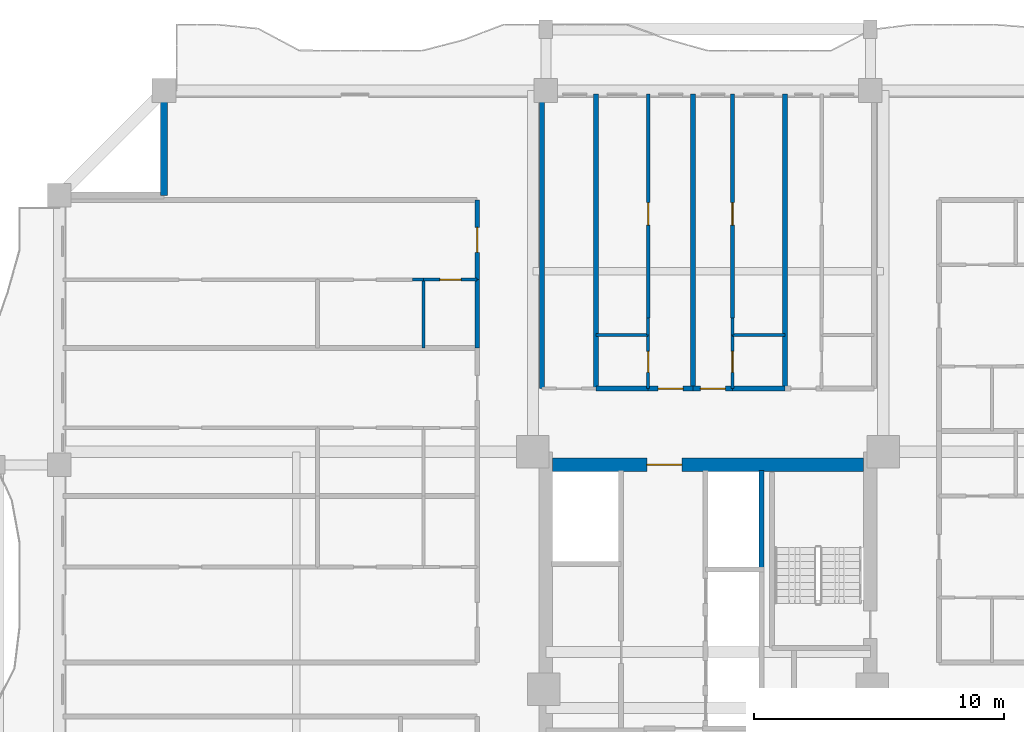
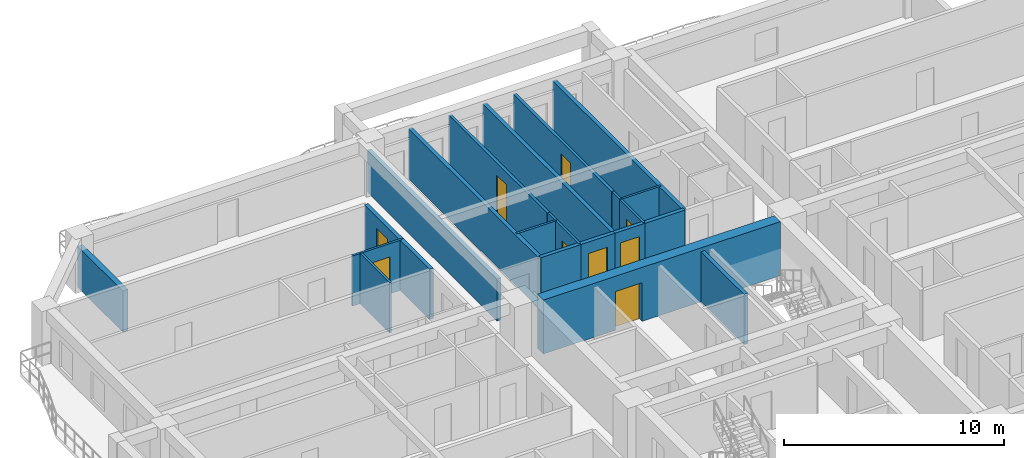
# One storey, part 7 of 14: 24 walls, 9 doors, 9 openings.
"""IFC4 building model written with IfcOpenShell, lengths in metres."""

from ifc_helpers import new_model, si_unit, direction, frame, frame_2d, origin, place, context, subcontext, project, spatial, rectangle, extrude, source, transform, mapped, material, layer, layer_set, type_object, element, fill, save


model = new_model("IFC4")

# Units and contexts
model_context = context("Model", 3, precision=1e-05, world=origin(), true_north=direction((0.0, 1.0)))
body_context = subcontext(model_context, "Body", "Model", "MODEL_VIEW")
ifc_project = project(units=[si_unit("LENGTHUNIT", "METRE"), si_unit("AREAUNIT", "SQUARE_METRE"), si_unit("VOLUMEUNIT", "CUBIC_METRE"), si_unit("PLANEANGLEUNIT", "RADIAN"), si_unit("MASSUNIT", "GRAM", prefix="KILO")], contexts=[model_context])

# Site, building, storey
site_placement = place(None, origin())
site = spatial("IfcSite", under=ifc_project, at=site_placement, CompositionType="ELEMENT")
building_placement = place(site_placement, origin())
building = spatial("IfcBuilding", under=site, at=building_placement, Name="Saelheon Loggia Tower", CompositionType="ELEMENT")
storey_placement = place(building_placement, frame((0.0, 0.0, 119.85009765625)))
storey = spatial("IfcBuildingStorey", under=building, at=storey_placement, Name="L38", CompositionType="ELEMENT", Elevation=119.85009765625)

# Wall, opening, door
ifc_material_1 = material(Name="Concrete C50/60", Category="concrete")
ifc_layer_1 = layer(ifc_material_1, 0.550048828125)
ifc_layer_set_1 = layer_set([ifc_layer_1], Name="Concrete C50/60")
wall_type_1 = type_object("IfcWallType", Name="Wall_CoreShear_550", PredefinedType="SHEAR", material=ifc_layer_set_1)
wall_1_placement = place(storey_placement, frame((31.77490234375, 36.0, 0.0), z_axis=(0.0, 0.0, 1.0), x_axis=(1.0, 0.0, 0.0)))
wall_1 = element("IfcWall", 1, at=wall_1_placement, inside=storey, type_object=wall_type_1, Name="L38 Core Shear Wall North", PredefinedType="SHEAR", context=body_context, shape_type="SweptSolid", body=[
    extrude(rectangle(XDim=12.4501953125, YDim=0.550048828125, at=frame_2d((6.22509765625, 0.0))), origin(), (0.0, 0.0, 1.0), 3.0),
])
opening_1_placement = place(wall_1_placement, frame((5.1748046875, 0.0, 0.0), z_axis=(0.0, 0.0, 1.0), x_axis=(-1.0, 0.0, 0.0)))
opening_1 = element("IfcOpeningElement", 2, at=opening_1_placement, cuts=wall_1, Name="Opening D-FD2L", PredefinedType="OPENING", context=body_context, shape_type="SweptSolid", body=[
    extrude(rectangle(XDim=1.39990234375, YDim=2.14990234375, at=frame_2d((0.699951171875, 1.074951171875))), frame((0.0, 0.287109375, 0.0), z_axis=(0.0, -1.0, 0.0), x_axis=(1.0, 0.0, 0.0)), (0.0, 0.0, 1.0), 0.573974609375),
])
ifc_material_2 = material(Name="Galvanised Steel Glazed Lobby Fire Door", Category="steel")
door_type_1 = type_object("IfcDoorType", Name="Door_Fire_FD60_1400", OperationType="NOTDEFINED", PredefinedType="DOOR", material=ifc_material_2)
shared_shape_1 = source(origin(), body_context, "Body", "SweptSolid", [
    extrude(rectangle(XDim=1.39990234375, YDim=2.14990234375, at=frame_2d((0.699951171875, 1.074951171875))), frame((0.0, 0.02490234375, 0.0), z_axis=(0.0, -1.0, 0.0), x_axis=(1.0, 0.0, 0.0)), (0.0, 0.0, 1.0), 0.050048828125),
])
door_1_placement = place(opening_1_placement, origin())
door_1 = element("IfcDoor", 3, at=door_1_placement, inside=storey, type_object=door_type_1, Name="L38 Passenger Lift Lobby Main Door", OperationType="SINGLE_SWING_RIGHT", OverallHeight=2.14990234375, OverallWidth=1.39990234375, PredefinedType="DOOR", context=body_context, shape_type="MappedRepresentation", body=[
    mapped(shared_shape_1, transform((0.0, 0.0, 0.0), scale=1.0)),
])
fill(opening_1, door_1)

# Wall
ifc_material_3 = material(Name="Architectural Precast Concrete C40/50", Category="concrete")
ifc_layer_2 = layer(ifc_material_3, 0.280029296875)
ifc_layer_set_2 = layer_set([ifc_layer_2], Name="Architectural Precast Concrete C40/50")
wall_type_2 = type_object("IfcWallType", Name="Wall_Ext_Loggia_280", PredefinedType="SOLIDWALL", material=ifc_layer_set_2)
wall_2_placement = place(storey_placement, frame((16.199951171875, 46.800048828125, 0.0), z_axis=(0.0, 0.0, 1.0), x_axis=(0.0, 1.0, 0.0)))
element("IfcWall", 4, at=wall_2_placement, inside=storey, type_object=wall_type_2, Name="L38 Corner Notch Precast Wall NW1", PredefinedType="SOLIDWALL", context=body_context, shape_type="SweptSolid", body=[
    extrude(rectangle(XDim=4.119873046875, YDim=0.280029296875, at=frame_2d((2.06005859375, 0.0))), origin(), (0.0, 0.0, 1.0), 2.27978515625),
])

# Wall, opening, door
ifc_material_4 = material(Name="Lightweight Autoclaved Aerated Concrete Block and Acoustic Gypsum", Category="concrete")
ifc_layer_3 = layer(ifc_material_4, 0.14990234375)
ifc_layer_set_3 = layer_set([ifc_layer_3], Name="Lightweight Autoclaved Aerated Concrete Block and Acoustic Gypsum")
wall_type_3 = type_object("IfcWallType", Name="Wall_Part_150", PredefinedType="PARTITIONING", material=ifc_layer_set_3)
wall_3_placement = place(storey_placement, frame((35.60009765625, 41.889892578125, 0.0), z_axis=(0.0, 0.0, 1.0), x_axis=(0.0, 1.0, 0.0)))
wall_3 = element("IfcWall", 5, at=wall_3_placement, inside=storey, type_object=wall_type_3, Name="L38 N Partition U10", PredefinedType="PARTITIONING", context=body_context, shape_type="SweptSolid", body=[
    extrude(rectangle(XDim=8.960205078125, YDim=0.14990234375, at=frame_2d((4.47998046875, 0.0))), origin(), (0.0, 0.0, 1.0), 2.789794921875),
])
opening_2_placement = place(wall_3_placement, frame((3.714111328125, 0.0, 0.0)))
opening_2 = element("IfcOpeningElement", 6, at=opening_2_placement, cuts=wall_3, Name="Opening D-IN2", PredefinedType="OPENING", context=body_context, shape_type="SweptSolid", body=[
    extrude(rectangle(XDim=0.89990234375, YDim=2.10009765625, at=frame_2d((0.449951171875, 1.050048828125))), frame((0.0, 0.0869140625, 0.0), z_axis=(0.0, -1.0, 0.0), x_axis=(1.0, 0.0, 0.0)), (0.0, 0.0, 1.0), 0.173828125),
])
ifc_material_5 = material(Name="Engineered Oak Flush Door", Category="timber")
door_type_2 = type_object("IfcDoorType", Name="Door_Int_900", OperationType="NOTDEFINED", PredefinedType="DOOR", material=ifc_material_5)
shared_shape_2 = source(origin(), body_context, "Body", "SweptSolid", [
    extrude(rectangle(XDim=0.89990234375, YDim=2.10009765625, at=frame_2d((0.449951171875, 1.050048828125))), frame((0.0, 0.02490234375, 0.0), z_axis=(0.0, -1.0, 0.0), x_axis=(1.0, 0.0, 0.0)), (0.0, 0.0, 1.0), 0.050048828125),
])
door_2_placement = place(opening_2_placement, origin())
door_2 = element("IfcDoor", 7, at=door_2_placement, inside=storey, type_object=door_type_2, Name="Unit U02 Kitchen Door", OperationType="SINGLE_SWING_RIGHT", OverallHeight=2.10009765625, OverallWidth=0.89990234375, PredefinedType="DOOR", context=body_context, shape_type="MappedRepresentation", body=[
    mapped(shared_shape_2, transform((0.0, 0.0, 0.0), scale=1.0)),
])
fill(opening_2, door_2)

wall_4_placement = place(storey_placement, frame((38.98193359375, 41.889892578125, 0.0), z_axis=(0.0, 0.0, 1.0), x_axis=(0.0, 1.0, 0.0)))
wall_4 = element("IfcWall", 8, at=wall_4_placement, inside=storey, type_object=wall_type_3, Name="L38 N Partition U17", PredefinedType="PARTITIONING", context=body_context, shape_type="SweptSolid", body=[
    extrude(rectangle(XDim=8.960205078125, YDim=0.14990234375, at=frame_2d((4.47998046875, 0.0))), origin(), (0.0, 0.0, 1.0), 2.789794921875),
])
opening_3_placement = place(wall_4_placement, frame((3.714111328125, 0.0, 0.0)))
opening_3 = element("IfcOpeningElement", 9, at=opening_3_placement, cuts=wall_4, Name="Opening D-IN2", PredefinedType="OPENING", context=body_context, shape_type="SweptSolid", body=[
    extrude(rectangle(XDim=0.89990234375, YDim=2.10009765625, at=frame_2d((0.449951171875, 1.050048828125))), frame((0.0, 0.0869140625, 0.0), z_axis=(0.0, -1.0, 0.0), x_axis=(1.0, 0.0, 0.0)), (0.0, 0.0, 1.0), 0.173828125),
])
door_3_placement = place(opening_3_placement, origin())
door_3 = element("IfcDoor", 10, at=door_3_placement, inside=storey, type_object=door_type_2, Name="Unit U03 Kitchen Door", OperationType="SINGLE_SWING_LEFT", OverallHeight=2.10009765625, OverallWidth=0.89990234375, PredefinedType="DOOR", context=body_context, shape_type="MappedRepresentation", body=[
    mapped(shared_shape_2, transform((0.0, 0.0, 0.0), scale=1.0)),
])
fill(opening_3, door_3)

# Walls
ifc_material_6 = material(Name="Double Acoustic Stud and Fireboard Partition", Category="gypsum")
ifc_layer_4 = layer(ifc_material_6, 0.199951171875)
ifc_layer_set_4 = layer_set([ifc_layer_4], Name="Double Acoustic Stud and Fireboard Partition")
wall_type_4 = type_object("IfcWallType", Name="Wall_Party_200", PredefinedType="PARTITIONING", material=ifc_layer_set_4)
wall_5_placement = place(storey_placement, frame((31.35009765625, 39.050048828125, 0.0), z_axis=(0.0, 0.0, 1.0), x_axis=(0.0, 1.0, 0.0)))
element("IfcWall", 11, at=wall_5_placement, inside=storey, type_object=wall_type_4, Name="L38 N Partition U01", PredefinedType="PARTITIONING", context=body_context, shape_type="SweptSolid", body=[
    extrude(rectangle(XDim=11.800048828125, YDim=0.199951171875, at=frame_2d((5.89990234375, 0.0))), origin(), (0.0, 0.0, 1.0), 2.33984375),
])
wall_6_placement = place(storey_placement, frame((33.5, 39.050048828125, 0.0), z_axis=(0.0, 0.0, 1.0), x_axis=(0.0, 1.0, 0.0)))
element("IfcWall", 12, at=wall_6_placement, inside=storey, type_object=wall_type_4, Name="L38 N Partition U03", PredefinedType="PARTITIONING", context=body_context, shape_type="SweptSolid", body=[
    extrude(rectangle(XDim=11.800048828125, YDim=0.199951171875, at=frame_2d((5.89990234375, 0.0))), origin(), (0.0, 0.0, 1.0), 2.789794921875),
])
wall_7_placement = place(storey_placement, frame((33.5, 39.050048828125, 0.0), z_axis=(0.0, 0.0, 1.0), x_axis=(1.0, 0.0, 0.0)))
element("IfcWall", 13, at=wall_7_placement, inside=storey, type_object=wall_type_4, Name="L38 N Partition V05", PredefinedType="PARTITIONING", context=body_context, shape_type="SweptSolid", body=[
    extrude(rectangle(XDim=2.10009765625, YDim=0.199951171875, at=frame_2d((1.050048828125, 0.0))), origin(), (0.0, 0.0, 1.0), 2.789794921875),
])

# Wall, opening, door
wall_8_placement = place(storey_placement, frame((35.60009765625, 39.050048828125, 0.0), z_axis=(0.0, 0.0, 1.0), x_axis=(1.0, 0.0, 0.0)))
wall_8 = element("IfcWall", 14, at=wall_8_placement, inside=storey, type_object=wall_type_4, Name="L38 N Partition V06", PredefinedType="PARTITIONING", context=body_context, shape_type="SweptSolid", body=[
    extrude(rectangle(XDim=1.802490234375, YDim=0.199951171875, at=frame_2d((0.9013671875, 0.0))), origin(), (0.0, 0.0, 1.0), 2.789794921875),
])
opening_4_placement = place(wall_8_placement, frame((0.4013671875, 0.0, 0.0)))
opening_4 = element("IfcOpeningElement", 15, at=opening_4_placement, cuts=wall_8, Name="Opening D-FD1", PredefinedType="OPENING", context=body_context, shape_type="SweptSolid", body=[
    extrude(rectangle(XDim=1.0, YDim=2.14990234375, at=frame_2d((0.5, 1.074951171875))), frame((0.0, 0.112060546875, 0.0), z_axis=(0.0, -1.0, 0.0), x_axis=(1.0, 0.0, 0.0)), (0.0, 0.0, 1.0), 0.223876953125),
])
ifc_material_7 = material(Name="Fire-Rated Engineered Timber Entrance Door", Category="wood")
door_type_3 = type_object("IfcDoorType", Name="Door_Flat_FD30S", OperationType="NOTDEFINED", PredefinedType="DOOR", material=ifc_material_7)
shared_shape_3 = source(origin(), body_context, "Body", "SweptSolid", [
    extrude(rectangle(XDim=1.0, YDim=2.14990234375, at=frame_2d((0.5, 1.074951171875))), frame((0.0, 0.02490234375, 0.0), z_axis=(0.0, -1.0, 0.0), x_axis=(1.0, 0.0, 0.0)), (0.0, 0.0, 1.0), 0.050048828125),
])
door_4_placement = place(opening_4_placement, origin())
door_4 = element("IfcDoor", 16, at=door_4_placement, inside=storey, type_object=door_type_3, Name="Unit U02 Entrance Door", OperationType="SINGLE_SWING_RIGHT", OverallHeight=2.14990234375, OverallWidth=1.0, PredefinedType="DOOR", context=body_context, shape_type="MappedRepresentation", body=[
    mapped(shared_shape_3, transform((0.0, 0.0, 0.0), scale=1.0)),
])
fill(opening_4, door_4)

# Wall
wall_9_placement = place(storey_placement, frame((37.402587890625, 39.050048828125, 0.0), z_axis=(0.0, 0.0, 1.0), x_axis=(0.0, 1.0, 0.0)))
element("IfcWall", 17, at=wall_9_placement, inside=storey, type_object=wall_type_4, Name="L38 N Partition U11", PredefinedType="PARTITIONING", context=body_context, shape_type="SweptSolid", body=[
    extrude(rectangle(XDim=11.800048828125, YDim=0.199951171875, at=frame_2d((5.89990234375, 0.0))), origin(), (0.0, 0.0, 1.0), 2.789794921875),
])

# Wall, opening, door
wall_10_placement = place(storey_placement, frame((37.402587890625, 39.050048828125, 0.0), z_axis=(0.0, 0.0, 1.0), x_axis=(1.0, 0.0, 0.0)))
wall_10 = element("IfcWall", 18, at=wall_10_placement, inside=storey, type_object=wall_type_4, Name="L38 N Partition V12", PredefinedType="PARTITIONING", context=body_context, shape_type="SweptSolid", body=[
    extrude(rectangle(XDim=1.579345703125, YDim=0.199951171875, at=frame_2d((0.78955078125, 0.0))), origin(), (0.0, 0.0, 1.0), 2.789794921875),
])
opening_5_placement = place(wall_10_placement, frame((0.289794921875, 0.0, 0.0)))
opening_5 = element("IfcOpeningElement", 19, at=opening_5_placement, cuts=wall_10, Name="Opening D-FD1", PredefinedType="OPENING", context=body_context, shape_type="SweptSolid", body=[
    extrude(rectangle(XDim=1.0, YDim=2.14990234375, at=frame_2d((0.5, 1.074951171875))), frame((0.0, 0.112060546875, 0.0), z_axis=(0.0, -1.0, 0.0), x_axis=(1.0, 0.0, 0.0)), (0.0, 0.0, 1.0), 0.223876953125),
])
door_5_placement = place(opening_5_placement, origin())
door_5 = element("IfcDoor", 20, at=door_5_placement, inside=storey, type_object=door_type_3, Name="Unit U03 Entrance Door", OperationType="SINGLE_SWING_LEFT", OverallHeight=2.14990234375, OverallWidth=1.0, PredefinedType="DOOR", context=body_context, shape_type="MappedRepresentation", body=[
    mapped(shared_shape_3, transform((0.0, 0.0, 0.0), scale=1.0)),
])
fill(opening_5, door_5)

# Walls
wall_11_placement = place(storey_placement, frame((38.98193359375, 39.050048828125, 0.0), z_axis=(0.0, 0.0, 1.0), x_axis=(1.0, 0.0, 0.0)))
element("IfcWall", 21, at=wall_11_placement, inside=storey, type_object=wall_type_4, Name="L38 N Partition V13", PredefinedType="PARTITIONING", context=body_context, shape_type="SweptSolid", body=[
    extrude(rectangle(XDim=2.10009765625, YDim=0.199951171875, at=frame_2d((1.050048828125, 0.0))), origin(), (0.0, 0.0, 1.0), 2.789794921875),
])
wall_12_placement = place(storey_placement, frame((41.08203125, 39.050048828125, 0.0), z_axis=(0.0, 0.0, 1.0), x_axis=(0.0, 1.0, 0.0)))
element("IfcWall", 22, at=wall_12_placement, inside=storey, type_object=wall_type_4, Name="L38 N Partition U18", PredefinedType="PARTITIONING", context=body_context, shape_type="SweptSolid", body=[
    extrude(rectangle(XDim=11.800048828125, YDim=0.199951171875, at=frame_2d((5.89990234375, 0.0))), origin(), (0.0, 0.0, 1.0), 2.789794921875),
])
wall_13_placement = place(storey_placement, frame((28.75, 40.687255859375, 0.0), z_axis=(0.0, 0.0, 1.0), x_axis=(0.0, 1.0, 0.0)))
element("IfcWall", 23, at=wall_13_placement, inside=storey, type_object=wall_type_4, Name="L38 WN Partition V21", PredefinedType="PARTITIONING", context=body_context, shape_type="SweptSolid", body=[
    extrude(rectangle(XDim=2.72900390625, YDim=0.199951171875, at=frame_2d((1.364501953125, 0.0))), origin(), (0.0, 0.0, 1.0), 2.789794921875),
])

# Wall, opening, door
wall_14_placement = place(storey_placement, frame((28.75, 43.416259765625, 0.0), z_axis=(0.0, 0.0, 1.0), x_axis=(0.0, 1.0, 0.0)))
wall_14 = element("IfcWall", 24, at=wall_14_placement, inside=storey, type_object=wall_type_4, Name="L38 WN Partition V22", PredefinedType="PARTITIONING", context=body_context, shape_type="SweptSolid", body=[
    extrude(rectangle(XDim=3.203857421875, YDim=0.199951171875, at=frame_2d((1.60205078125, 0.0))), origin(), (0.0, 0.0, 1.0), 2.789794921875),
])
opening_6_placement = place(wall_14_placement, frame((1.101806640625, 0.0, 0.0)))
opening_6 = element("IfcOpeningElement", 25, at=opening_6_placement, cuts=wall_14, Name="Opening D-FD1", PredefinedType="OPENING", context=body_context, shape_type="SweptSolid", body=[
    extrude(rectangle(XDim=1.0, YDim=2.14990234375, at=frame_2d((0.5, 1.074951171875))), frame((0.0, 0.112060546875, 0.0), z_axis=(0.0, -1.0, 0.0), x_axis=(1.0, 0.0, 0.0)), (0.0, 0.0, 1.0), 0.223876953125),
])
door_6_placement = place(opening_6_placement, origin())
door_6 = element("IfcDoor", 26, at=door_6_placement, inside=storey, type_object=door_type_3, Name="Unit U09 Entrance Door", OperationType="SINGLE_SWING_LEFT", OverallHeight=2.14990234375, OverallWidth=1.0, PredefinedType="DOOR", context=body_context, shape_type="MappedRepresentation", body=[
    mapped(shared_shape_3, transform((0.0, 0.0, 0.0), scale=1.0)),
])
fill(opening_6, door_6)

# Wall
ifc_material_8 = material(Name="Concrete C40/50", Category="concrete")
ifc_layer_5 = layer(ifc_material_8, 0.199951171875)
ifc_layer_set_5 = layer_set([ifc_layer_5], Name="Concrete C40/50")
wall_type_5 = type_object("IfcWallType", Name="Wall_Shaft_200", PredefinedType="PARTITIONING", material=ifc_layer_set_5)
wall_15_placement = place(storey_placement, frame((40.14990234375, 31.800048828125, 0.0), z_axis=(0.0, 0.0, 1.0), x_axis=(0.0, 1.0, 0.0)))
element("IfcWall", 27, at=wall_15_placement, inside=storey, type_object=wall_type_5, Name="L38 East High-Rise Hoistway East Wall", PredefinedType="PARTITIONING", context=body_context, shape_type="SweptSolid", body=[
    extrude(rectangle(XDim=3.97998046875, YDim=0.199951171875, at=frame_2d((1.989990234375, 0.0))), origin(), (0.0, 0.0, 1.0), 2.789794921875),
])

# Wall, opening, door
ifc_material_9 = material(Name="Moisture-Resistant Cement Board Partition", Category="gypsum")
ifc_layer_6 = layer(ifc_material_9, 0.1201171875)
ifc_layer_set_6 = layer_set([ifc_layer_6], Name="Moisture-Resistant Cement Board Partition")
wall_type_6 = type_object("IfcWallType", Name="Wall_WetPart_120", PredefinedType="PARTITIONING", material=ifc_layer_set_6)
wall_16_placement = place(storey_placement, frame((35.60009765625, 39.050048828125, 0.0), z_axis=(0.0, 0.0, 1.0), x_axis=(0.0, 1.0, 0.0)))
wall_16 = element("IfcWall", 28, at=wall_16_placement, inside=storey, type_object=wall_type_6, Name="L38 N Partition U07", PredefinedType="PARTITIONING", context=body_context, shape_type="SweptSolid", body=[
    extrude(rectangle(XDim=2.14990234375, YDim=0.1201171875, at=frame_2d((1.074951171875, 0.0))), origin(), (0.0, 0.0, 1.0), 2.789794921875),
])
opening_7_placement = place(wall_16_placement, frame((0.64990234375, 0.0, 0.0)))
opening_7 = element("IfcOpeningElement", 29, at=opening_7_placement, cuts=wall_16, Name="Opening D-BT1", PredefinedType="OPENING", context=body_context, shape_type="SweptSolid", body=[
    extrude(rectangle(XDim=0.85009765625, YDim=2.050048828125, at=frame_2d((0.425048828125, 1.02490234375))), frame((0.0, 0.072021484375, 0.0), z_axis=(0.0, -1.0, 0.0), x_axis=(1.0, 0.0, 0.0)), (0.0, 0.0, 1.0), 0.14404296875),
])
ifc_material_10 = material(Name="Moisture-Resistant Laminate Timber Door", Category="wood")
door_type_4 = type_object("IfcDoorType", Name="Door_Bath_850", OperationType="NOTDEFINED", PredefinedType="DOOR", material=ifc_material_10)
shared_shape_4 = source(origin(), body_context, "Body", "SweptSolid", [
    extrude(rectangle(XDim=0.85009765625, YDim=2.050048828125, at=frame_2d((0.425048828125, 1.02490234375))), frame((0.0, 0.02490234375, 0.0), z_axis=(0.0, -1.0, 0.0), x_axis=(1.0, 0.0, 0.0)), (0.0, 0.0, 1.0), 0.050048828125),
])
door_7_placement = place(opening_7_placement, origin())
door_7 = element("IfcDoor", 30, at=door_7_placement, inside=storey, type_object=door_type_4, Name="Unit U02 Bathroom Door", OperationType="SINGLE_SWING_LEFT", OverallHeight=2.050048828125, OverallWidth=0.85009765625, PredefinedType="DOOR", context=body_context, shape_type="MappedRepresentation", body=[
    mapped(shared_shape_4, transform((0.0, 0.0, 0.0), scale=1.0)),
])
fill(opening_7, door_7)

# Walls
wall_17_placement = place(storey_placement, frame((35.60009765625, 41.199951171875, 0.0), z_axis=(0.0, 0.0, 1.0), x_axis=(0.0, 1.0, 0.0)))
element("IfcWall", 31, at=wall_17_placement, inside=storey, type_object=wall_type_6, Name="L38 N Partition U08", PredefinedType="PARTITIONING", context=body_context, shape_type="SweptSolid", body=[
    extrude(rectangle(XDim=0.68994140625, YDim=0.1201171875, at=frame_2d((0.344970703125, 0.0))), origin(), (0.0, 0.0, 1.0), 2.789794921875),
])
wall_18_placement = place(storey_placement, frame((33.5, 41.199951171875, 0.0), z_axis=(0.0, 0.0, 1.0), x_axis=(1.0, 0.0, 0.0)))
element("IfcWall", 32, at=wall_18_placement, inside=storey, type_object=wall_type_6, Name="L38 N Partition V09", PredefinedType="PARTITIONING", context=body_context, shape_type="SweptSolid", body=[
    extrude(rectangle(XDim=2.10009765625, YDim=0.1201171875, at=frame_2d((1.050048828125, 0.0))), origin(), (0.0, 0.0, 1.0), 2.789794921875),
])

# Wall, opening, door
wall_19_placement = place(storey_placement, frame((38.98193359375, 39.050048828125, 0.0), z_axis=(0.0, 0.0, 1.0), x_axis=(0.0, 1.0, 0.0)))
wall_19 = element("IfcWall", 33, at=wall_19_placement, inside=storey, type_object=wall_type_6, Name="L38 N Partition U14", PredefinedType="PARTITIONING", context=body_context, shape_type="SweptSolid", body=[
    extrude(rectangle(XDim=2.14990234375, YDim=0.1201171875, at=frame_2d((1.074951171875, 0.0))), origin(), (0.0, 0.0, 1.0), 2.789794921875),
])
opening_8_placement = place(wall_19_placement, frame((0.64990234375, 0.0, 0.0)))
opening_8 = element("IfcOpeningElement", 34, at=opening_8_placement, cuts=wall_19, Name="Opening D-BT1", PredefinedType="OPENING", context=body_context, shape_type="SweptSolid", body=[
    extrude(rectangle(XDim=0.85009765625, YDim=2.050048828125, at=frame_2d((0.425048828125, 1.02490234375))), frame((0.0, 0.072021484375, 0.0), z_axis=(0.0, -1.0, 0.0), x_axis=(1.0, 0.0, 0.0)), (0.0, 0.0, 1.0), 0.14404296875),
])
door_8_placement = place(opening_8_placement, origin())
door_8 = element("IfcDoor", 35, at=door_8_placement, inside=storey, type_object=door_type_4, Name="Unit U03 Bathroom Door", OperationType="SINGLE_SWING_RIGHT", OverallHeight=2.050048828125, OverallWidth=0.85009765625, PredefinedType="DOOR", context=body_context, shape_type="MappedRepresentation", body=[
    mapped(shared_shape_4, transform((0.0, 0.0, 0.0), scale=1.0)),
])
fill(opening_8, door_8)

# Walls
wall_20_placement = place(storey_placement, frame((38.98193359375, 41.199951171875, 0.0), z_axis=(0.0, 0.0, 1.0), x_axis=(0.0, 1.0, 0.0)))
element("IfcWall", 36, at=wall_20_placement, inside=storey, type_object=wall_type_6, Name="L38 N Partition U15", PredefinedType="PARTITIONING", context=body_context, shape_type="SweptSolid", body=[
    extrude(rectangle(XDim=0.68994140625, YDim=0.1201171875, at=frame_2d((0.344970703125, 0.0))), origin(), (0.0, 0.0, 1.0), 2.789794921875),
])
wall_21_placement = place(storey_placement, frame((38.98193359375, 41.199951171875, 0.0), z_axis=(0.0, 0.0, 1.0), x_axis=(1.0, 0.0, 0.0)))
element("IfcWall", 37, at=wall_21_placement, inside=storey, type_object=wall_type_6, Name="L38 N Partition V16", PredefinedType="PARTITIONING", context=body_context, shape_type="SweptSolid", body=[
    extrude(rectangle(XDim=2.10009765625, YDim=0.1201171875, at=frame_2d((1.050048828125, 0.0))), origin(), (0.0, 0.0, 1.0), 2.789794921875),
])

# Wall, opening, door
wall_22_placement = place(storey_placement, frame((28.75, 43.416259765625, 0.0), z_axis=(0.0, 0.0, 1.0), x_axis=(-1.0, 0.0, 0.0)))
wall_22 = element("IfcWall", 38, at=wall_22_placement, inside=storey, type_object=wall_type_6, Name="L38 WN Partition U23", PredefinedType="PARTITIONING", context=body_context, shape_type="SweptSolid", body=[
    extrude(rectangle(XDim=2.14990234375, YDim=0.1201171875, at=frame_2d((1.074951171875, 0.0))), origin(), (0.0, 0.0, 1.0), 2.789794921875),
])
opening_9_placement = place(wall_22_placement, frame((0.64990234375, 0.0, 0.0)))
opening_9 = element("IfcOpeningElement", 39, at=opening_9_placement, cuts=wall_22, Name="Opening D-BT1", PredefinedType="OPENING", context=body_context, shape_type="SweptSolid", body=[
    extrude(rectangle(XDim=0.85009765625, YDim=2.050048828125, at=frame_2d((0.425048828125, 1.02490234375))), frame((0.0, 0.072021484375, 0.0), z_axis=(0.0, -1.0, 0.0), x_axis=(1.0, 0.0, 0.0)), (0.0, 0.0, 1.0), 0.14404296875),
])
door_9_placement = place(opening_9_placement, origin())
door_9 = element("IfcDoor", 40, at=door_9_placement, inside=storey, type_object=door_type_4, Name="Unit U09 Bathroom Door", OperationType="SINGLE_SWING_RIGHT", OverallHeight=2.050048828125, OverallWidth=0.85009765625, PredefinedType="DOOR", context=body_context, shape_type="MappedRepresentation", body=[
    mapped(shared_shape_4, transform((0.0, 0.0, 0.0), scale=1.0)),
])
fill(opening_9, door_9)

# Walls
wall_23_placement = place(storey_placement, frame((26.60009765625, 43.416259765625, 0.0), z_axis=(0.0, 0.0, 1.0), x_axis=(-1.0, 0.0, 0.0)))
element("IfcWall", 41, at=wall_23_placement, inside=storey, type_object=wall_type_6, Name="L38 WN Partition U24", PredefinedType="PARTITIONING", context=body_context, shape_type="SweptSolid", body=[
    extrude(rectangle(XDim=0.4501953125, YDim=0.1201171875, at=frame_2d((0.22509765625, 0.0))), origin(), (0.0, 0.0, 1.0), 2.789794921875),
])
wall_24_placement = place(storey_placement, frame((26.60009765625, 40.687255859375, 0.0), z_axis=(0.0, 0.0, 1.0), x_axis=(0.0, 1.0, 0.0)))
element("IfcWall", 42, at=wall_24_placement, inside=storey, type_object=wall_type_6, Name="L38 WN Partition V25", PredefinedType="PARTITIONING", context=body_context, shape_type="SweptSolid", body=[
    extrude(rectangle(XDim=2.72900390625, YDim=0.1201171875, at=frame_2d((1.364501953125, 0.0))), origin(), (0.0, 0.0, 1.0), 2.789794921875),
])

save(model, "model.ifc")
